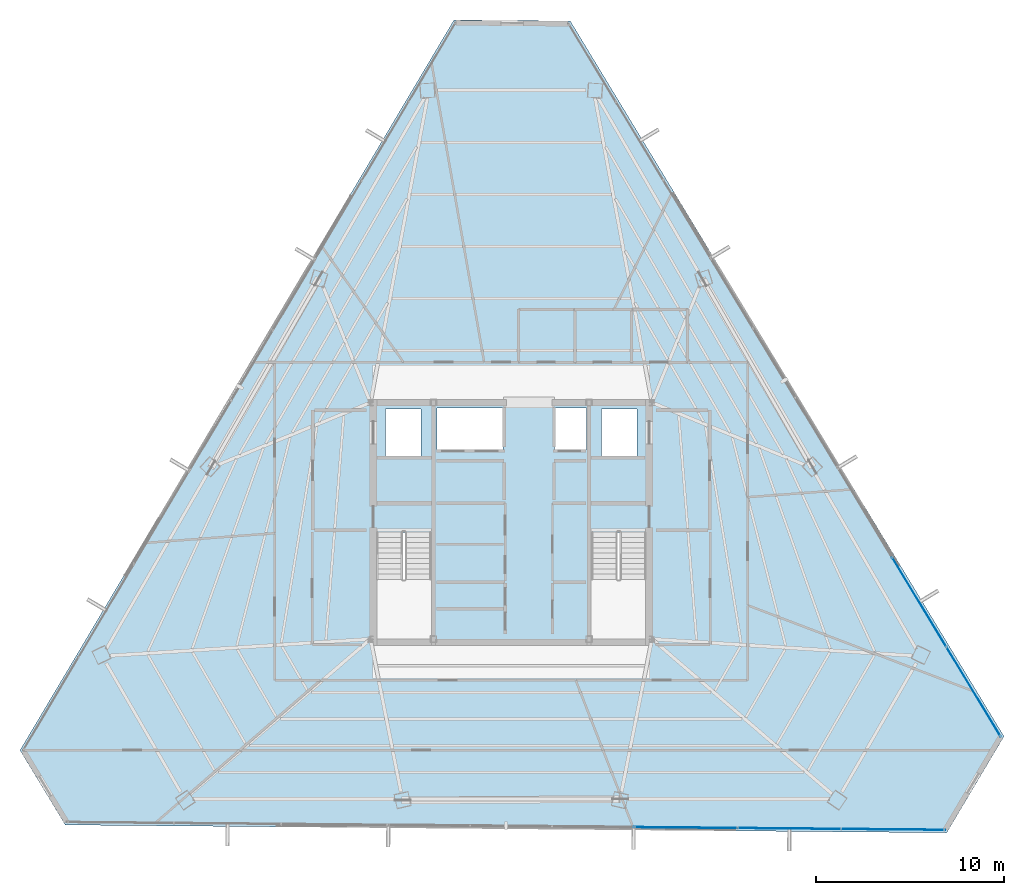
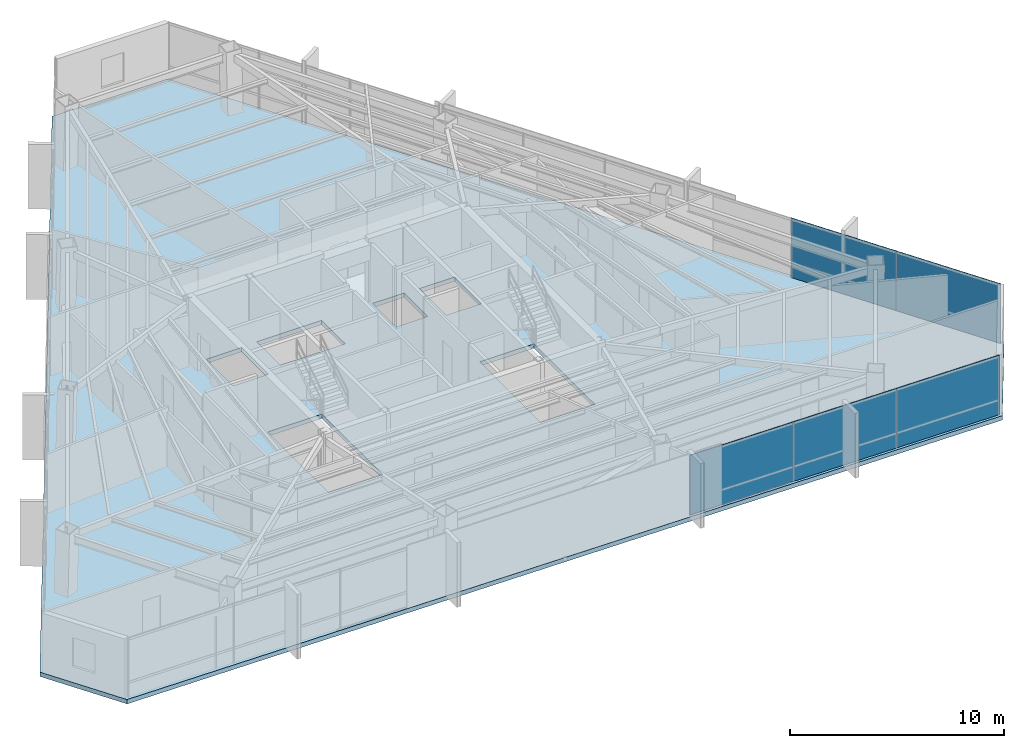
# One storey, part 39 of 47: 5 plates, 1 slab, 2 elements without a shape of their own.
"""IFC4 building model written with IfcOpenShell, lengths in metres."""

from ifc_helpers import new_model, si_unit, direction, frame, origin, origin_2d, place, context, subcontext, project, spatial, polyline, rectangle, outline, extrude, source, transform, mapped, material, layer, layer_set, type_object, type_shapes, element, aggregate, save


model = new_model("IFC4")

# Units and contexts
model_context = context("Model", 3, precision=1e-05, world=origin(), true_north=direction((0.0, 1.0)))
body_context = subcontext(model_context, "Body", "Model", "MODEL_VIEW")
ifc_project = project(units=[si_unit("LENGTHUNIT", "METRE"), si_unit("AREAUNIT", "SQUARE_METRE"), si_unit("VOLUMEUNIT", "CUBIC_METRE"), si_unit("PLANEANGLEUNIT", "RADIAN"), si_unit("MASSUNIT", "GRAM", prefix="KILO")], contexts=[model_context])

# Site, building, storey
site_placement = place(None, origin())
site = spatial("IfcSite", under=ifc_project, at=site_placement, CompositionType="ELEMENT")
building_placement = place(site_placement, origin())
building = spatial("IfcBuilding", under=site, at=building_placement, Name="Caelisora Broadcast Tower", CompositionType="ELEMENT")
storey_placement = place(building_placement, frame((0.0, 0.0, 229.85009765625)))
storey = spatial("IfcBuildingStorey", under=building, at=storey_placement, Name="L60", CompositionType="ELEMENT", Elevation=229.85009765625)

# Slab
ifc_material_1 = material(Name="Concrete 40 MPa (AS 3600 N40)", Category="concrete")
ifc_layer_1 = layer(ifc_material_1, 0.25, Name="Concrete 40 MPa (AS 3600 N40)")
ifc_layer_set_1 = layer_set([ifc_layer_1], Name="Concrete 40 MPa (AS 3600 N40)")
slab_type = type_object("IfcSlabType", Name="SL04", PredefinedType="FLOOR", material=ifc_layer_set_1)
slab_placement = place(storey_placement, frame((0.0, 0.0, -0.25)))
element("IfcSlab", 1, at=slab_placement, inside=storey, type_object=slab_type, Name="L60 suspended floor SL04", PredefinedType="FLOOR", context=body_context, shape_type="SweptSolid", body=[
    extrude(outline(polyline([(41.14599609375, 50.33203125), (34.948974609375, 50.386962890625), (11.824951171875, 11.472900390625), (14.236083984375, 7.49609375), (61.2060546875, 7.0791015625), (64.257080078125, 12.212890625), (41.14599609375, 50.33203125)]), holes=[polyline([(30.820068359375, 17.39990234375), (33.739990234375, 17.39990234375), (33.739990234375, 23.080078125), (30.820068359375, 23.080078125), (30.820068359375, 17.39990234375)]), polyline([(42.260009765625, 17.39990234375), (45.179931640625, 17.39990234375), (45.179931640625, 23.080078125), (42.260009765625, 23.080078125), (42.260009765625, 17.39990234375)]), polyline([(42.800048828125, 27.14990234375), (44.699951171875, 27.14990234375), (44.699951171875, 29.64990234375), (42.800048828125, 29.64990234375), (42.800048828125, 27.14990234375)]), polyline([(40.300048828125, 27.5), (42.0, 27.5), (42.0, 29.699951171875), (40.300048828125, 29.699951171875), (40.300048828125, 27.5)]), polyline([(34.050048828125, 27.5), (37.550048828125, 27.5), (37.550048828125, 29.699951171875), (34.050048828125, 29.699951171875), (34.050048828125, 27.5)]), polyline([(31.300048828125, 27.14990234375), (33.199951171875, 27.14990234375), (33.199951171875, 29.64990234375), (31.300048828125, 29.64990234375), (31.300048828125, 27.14990234375)])]), origin(), (0.0, 0.0, 1.0), 0.25),
])

# Curtain wall, plates
ifc_material_2 = material(Name="Unitised Aluminium and Low-E Glass Curtain Wall", Category="glass")
curtain_wall_type = type_object("IfcCurtainWallType", Name="CW-Z5", PredefinedType="NOTDEFINED", material=ifc_material_2)
curtain_wall_1_placement = place(storey_placement, origin())
curtain_wall_1 = element("IfcCurtainWall", 2, at=curtain_wall_1_placement, inside=storey, type_object=curtain_wall_type, Name="L60 curtain wall CW-Z5", PredefinedType="NOTDEFINED")
ifc_material_3 = material(Name="Double Glazed Low-E Argon IGU", Category="glass")
ifc_layer_2 = layer(ifc_material_3, 0.028076171875, Name="Double Glazed Low-E Argon IGU")
ifc_layer_set_2 = layer_set([ifc_layer_2], Name="Double Glazed Low-E Argon IGU")
plate_type = type_object("IfcPlateType", Name="CWP-06", PredefinedType="CURTAIN_PANEL", material=ifc_layer_set_2)
shared_shape_1 = source(origin(), body_context, "Body", "SweptSolid", [
    extrude(rectangle(XDim=5.5791015625, YDim=0.028076171875, at=origin_2d()), origin(), (0.0, 0.0, 1.0), 3.39990234375),
])
plate_1_placement = place(storey_placement, frame((59.743408203125, 19.3681640625, 0.0), z_axis=(0.0, 0.0, 1.0), x_axis=(0.518474806022, -0.855092904614, 0.0)))
plate_1 = element("IfcPlate", 3, at=plate_1_placement, type_object=plate_type, Name="L60-CW-B03 glazed panel #2", PredefinedType="CURTAIN_PANEL", context=body_context, shape_type="MappedRepresentation", body=[
    mapped(shared_shape_1, transform((0.0, 0.0, 0.0), scale=1.0)),
])
plate_2_placement = place(storey_placement, frame((62.6357421875, 14.597412109375, 0.0), z_axis=(0.0, 0.0, 1.0), x_axis=(0.518474806022, -0.855092904614, 0.0)))
plate_2 = element("IfcPlate", 4, at=plate_2_placement, type_object=plate_type, Name="L60-CW-B03 glazed panel #3", PredefinedType="CURTAIN_PANEL", context=body_context, shape_type="MappedRepresentation", body=[
    mapped(shared_shape_1, transform((0.0, 0.0, 0.0), scale=1.0)),
])
aggregate(curtain_wall_1, [plate_1, plate_2])

curtain_wall_2_placement = place(storey_placement, origin())
curtain_wall_2 = element("IfcCurtainWall", 5, at=curtain_wall_2_placement, inside=storey, type_object=curtain_wall_type, Name="L60 curtain wall CW-Z5", PredefinedType="NOTDEFINED")
shared_shape_2 = source(origin(), body_context, "Body", "SweptSolid", [
    extrude(rectangle(XDim=5.53125, YDim=0.028076171875, at=origin_2d()), origin(), (0.0, 0.0, 1.0), 3.39990234375),
])
type_shapes(plate_type, [shared_shape_1, shared_shape_2])
plate_3_placement = place(storey_placement, frame((58.35546875, 7.25439453125, 0.0), z_axis=(0.0, 0.0, 1.0), x_axis=(-0.999960384766, 0.008901061644, 0.0)))
plate_3 = element("IfcPlate", 6, at=plate_3_placement, type_object=plate_type, Name="L60-CW-B05 glazed panel #1", PredefinedType="CURTAIN_PANEL", context=body_context, shape_type="MappedRepresentation", body=[
    mapped(shared_shape_2, transform((0.0, 0.0, 0.0), scale=1.0)),
])
plate_4_placement = place(storey_placement, frame((52.824462890625, 7.3037109375, 0.0), z_axis=(0.0, 0.0, 1.0), x_axis=(-0.999960384766, 0.008901061644, 0.0)))
plate_4 = element("IfcPlate", 7, at=plate_4_placement, type_object=plate_type, Name="L60-CW-B05 glazed panel #2", PredefinedType="CURTAIN_PANEL", context=body_context, shape_type="MappedRepresentation", body=[
    mapped(shared_shape_2, transform((0.0, 0.0, 0.0), scale=1.0)),
])
plate_5_placement = place(storey_placement, frame((47.293212890625, 7.3525390625, 0.0), z_axis=(0.0, 0.0, 1.0), x_axis=(-0.999960384766, 0.008901061644, 0.0)))
plate_5 = element("IfcPlate", 8, at=plate_5_placement, type_object=plate_type, Name="L60-CW-B05 glazed panel #3", PredefinedType="CURTAIN_PANEL", context=body_context, shape_type="MappedRepresentation", body=[
    mapped(shared_shape_2, transform((0.0, 0.0, 0.0), scale=1.0)),
])
aggregate(curtain_wall_2, [plate_3, plate_4, plate_5])

save(model, "model.ifc")
